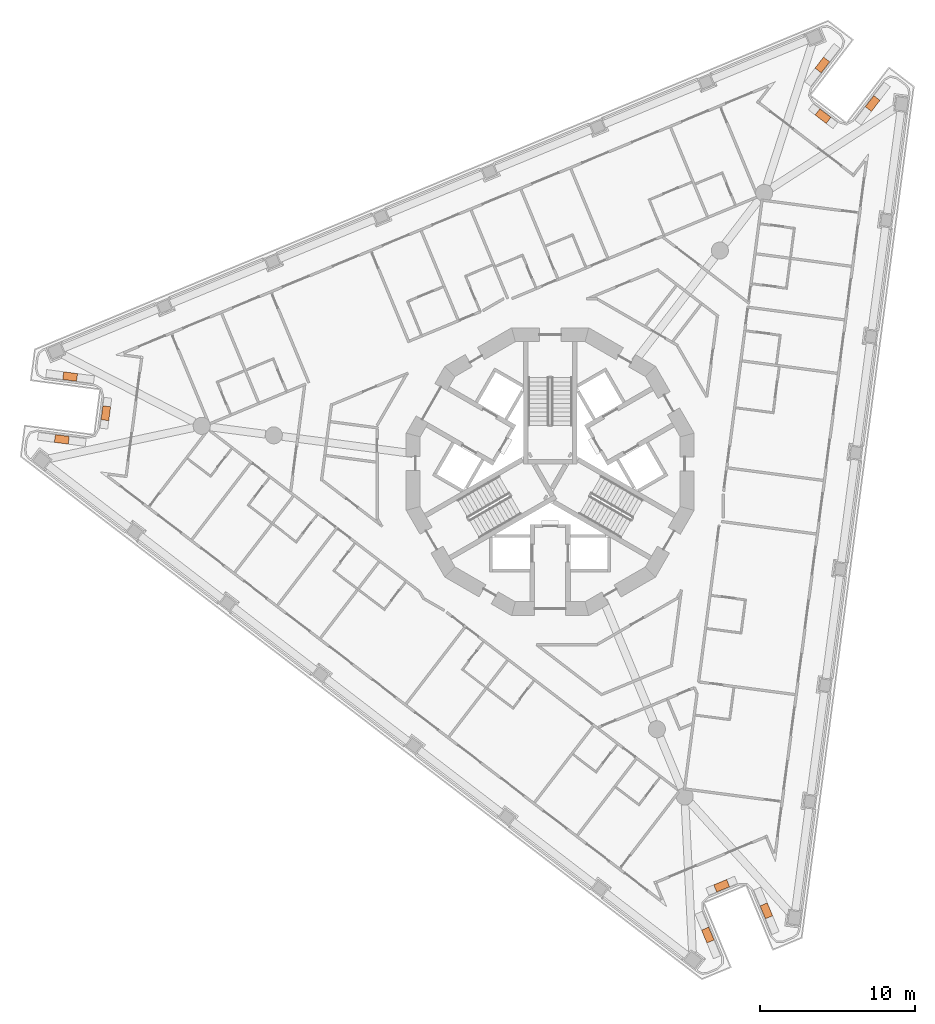
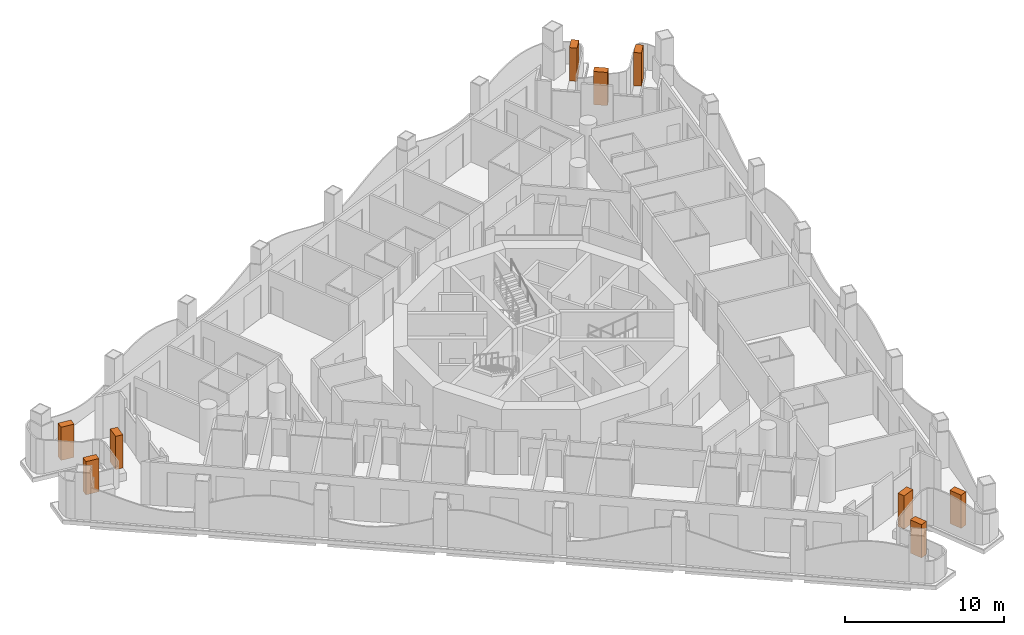
# One storey, part 17 of 17: 9 geographic elements.
"""IFC4 building model written with IfcOpenShell, lengths in metres."""

from ifc_helpers import new_model, si_unit, direction, frame, origin, origin_2d, place, context, subcontext, project, spatial, rectangle, extrude, element, save


model = new_model("IFC4")

# Units and contexts
model_context = context("Model", 3, precision=1e-05, world=origin(), true_north=direction((0.0, 1.0)))
body_context = subcontext(model_context, "Body", "Model", "MODEL_VIEW")
ifc_project = project(units=[si_unit("LENGTHUNIT", "METRE"), si_unit("AREAUNIT", "SQUARE_METRE"), si_unit("VOLUMEUNIT", "CUBIC_METRE"), si_unit("PLANEANGLEUNIT", "RADIAN"), si_unit("MASSUNIT", "GRAM", prefix="KILO")], contexts=[model_context])

# Site, building, storey
site_placement = place(None, origin())
site = spatial("IfcSite", under=ifc_project, at=site_placement, CompositionType="ELEMENT")
building_placement = place(site_placement, origin())
building = spatial("IfcBuilding", under=site, at=building_placement, Name="Trine Commons Tower", CompositionType="ELEMENT")
storey_placement = place(building_placement, frame((0.0, 0.0, 135.0)))
storey = spatial("IfcBuildingStorey", under=building, at=storey_placement, Name="L34", CompositionType="ELEMENT", Elevation=135.0)

# Geographic elements
for number, where, z_axis, x_axis, name in (
    (1, (48.54638671875, 64.58349609375, 0.60009765625), (0.0, 0.0, 1.0), (0.991446455978, -0.130514079426, 0.0), "Tree 1.1"),
    (2, (51.380615234375, 66.267822265625, 0.60009765625), (0.0, 0.0, 1.0), (0.130543496177, 0.991442583111, 0.0), "Tree 2.1"),
    (3, (49.078857421875, 68.62841796875, 0.60009765625), (0.0, 0.0, 1.0), (-0.991446000392, 0.130517540226, 0.0), "Tree 3.1"),
    (4, (97.531005859375, 88.697998046875, 0.60009765625), (0.0, 0.0, 1.0), (-0.608754505672, -0.793358652707, 0.0), "Tree 4.1"),
    (5, (97.57275390625, 85.4013671875, 0.60009765625), (0.0, 0.0, 1.0), (0.793335277627, -0.608784968008, 0.0), "Tree 5.1"),
    (6, (100.767822265625, 86.214111328125, 0.60009765625), (0.0, 0.0, 1.0), (0.6087683523, 0.793348027815, 0.0), "Tree 6.1"),
    (7, (93.922607421875, 34.21875, 0.60009765625), (0.0, 0.0, 1.0), (-0.382694719654, 0.923874857082, 0.0), "Tree 7.1"),
    (8, (91.046630859375, 35.830810546875, 0.60009765625), (0.0, 0.0, 1.0), (-0.923877528773, -0.382688269782, 0.0), "Tree 8.1"),
    (9, (90.153076171875, 32.657470703125, 0.60009765625), (0.0, 0.0, 1.0), (0.382694719654, -0.923874857082, 0.0), "Tree 9.1"),
):
    element("IfcGeographicElement", number, at=place(storey_placement, frame(where, z_axis=z_axis, x_axis=x_axis)), inside=storey, Name=name, ObjectType="TREE Tabebuia rosea", PredefinedType="USERDEFINED", context=body_context, shape_type="SweptSolid", body=[
        extrude(rectangle(XDim=0.89990234375, YDim=0.5, at=origin_2d()), origin(), (0.0, 0.0, 1.0), 2.550048828125),
    ])

save(model, "model.ifc")
